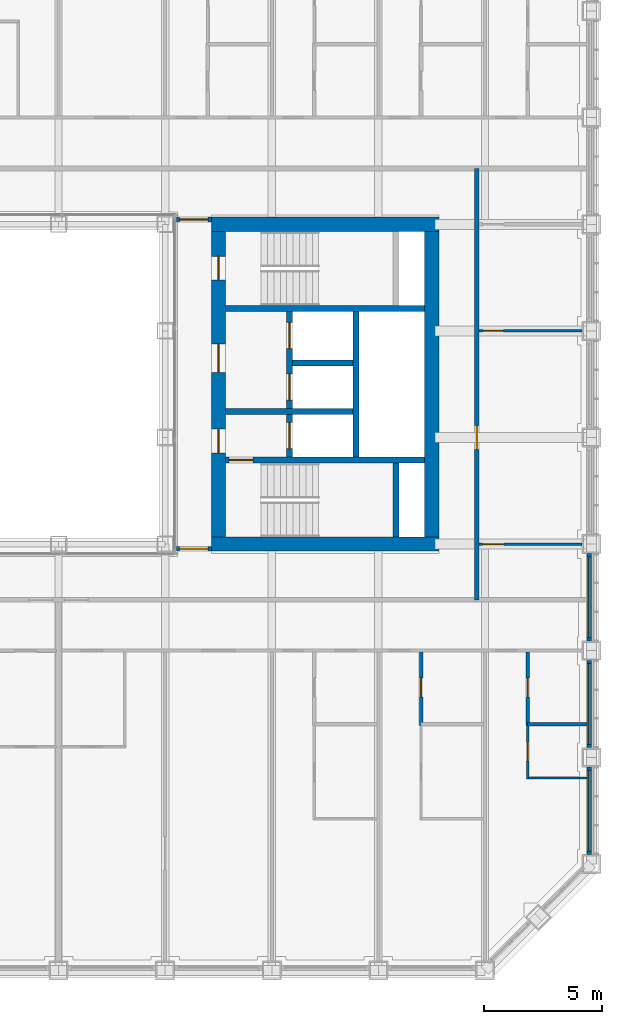
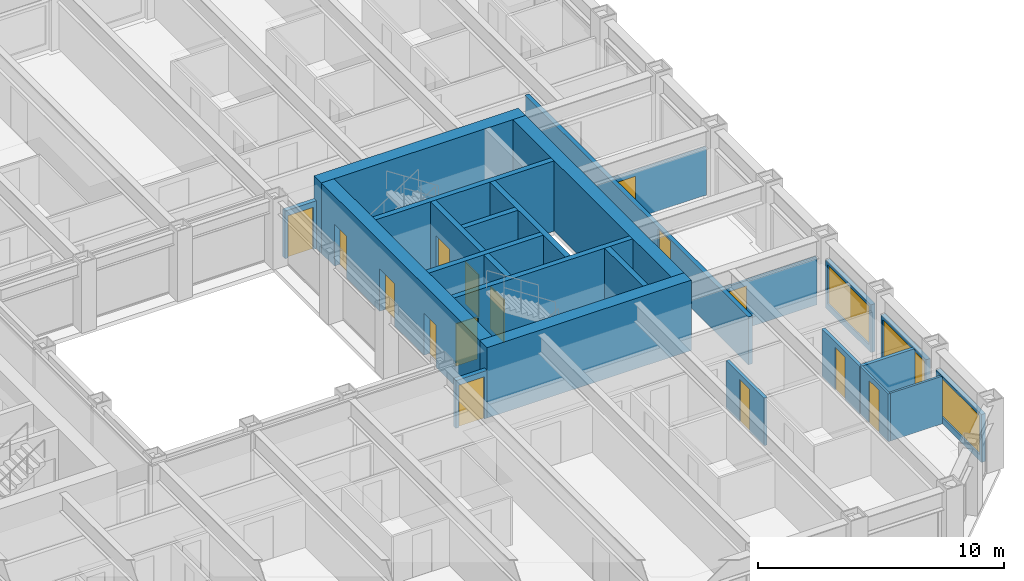
# One storey, part 12 of 21: 24 walls, 15 doors, 3 windows, 18 openings.
"""IFC4 building model written with IfcOpenShell, lengths in metres."""

from ifc_helpers import new_model, si_unit, direction, frame, frame_2d, origin, place, context, subcontext, project, spatial, rectangle, extrude, material, layer, layer_set, type_object, element, fill, save


model = new_model("IFC4")

# Units and contexts
model_context = context("Model", 3, precision=1e-05, world=origin(), true_north=direction((0.0, 1.0)))
body_context = subcontext(model_context, "Body", "Model", "MODEL_VIEW")
ifc_project = project(units=[si_unit("LENGTHUNIT", "METRE"), si_unit("AREAUNIT", "SQUARE_METRE"), si_unit("VOLUMEUNIT", "CUBIC_METRE"), si_unit("PLANEANGLEUNIT", "RADIAN"), si_unit("MASSUNIT", "GRAM", prefix="KILO")], contexts=[model_context])

# Site, building, storey
site_placement = place(None, origin())
site = spatial("IfcSite", under=ifc_project, at=site_placement, CompositionType="ELEMENT")
building_placement = place(site_placement, origin())
building = spatial("IfcBuilding", under=site, at=building_placement, Name="Msasa Ring Tower", CompositionType="ELEMENT")
storey_placement = place(building_placement, frame((0.0, 0.0, 82.5)))
storey = spatial("IfcBuildingStorey", under=building, at=storey_placement, Name="L21", CompositionType="ELEMENT", Elevation=82.5)

# Walls
ifc_material_1 = material(Name="Concrete C60/75", Category="concrete")
ifc_layer_1 = layer(ifc_material_1, 0.60009765625)
ifc_layer_set_1 = layer_set([ifc_layer_1], Name="CW1 CORE WALL 600")
wall_type_1 = type_object("IfcWallType", Name="CW1 CORE WALL 600", PredefinedType="SHEAR", material=ifc_layer_set_1)
for number, where, z_axis, x_axis, name in (
    (1, (8.699951171875, -6.75, 0.0), (0.0, 0.0, 1.0), (1.0, 0.0, 0.0), "E core wall S L21"),
    (2, (8.699951171875, 6.75, 0.0), (0.0, 0.0, 1.0), (1.0, 0.0, 0.0), "E core wall N L21"),
):
    element("IfcWall", number, at=place(storey_placement, frame(where, z_axis=z_axis, x_axis=x_axis)), inside=storey, type_object=wall_type_1, Name=name, PredefinedType="SHEAR", context=body_context, shape_type="SweptSolid", body=[
        extrude(rectangle(XDim=9.60009765625, YDim=0.60009765625, at=frame_2d((4.800048828125, 0.0))), origin(), (0.0, 0.0, 1.0), 3.5),
    ])

# Wall, openings, doors
wall_1_placement = place(storey_placement, frame((9.0, -6.449951171875, 0.0), z_axis=(0.0, 0.0, 1.0), x_axis=(0.0, 1.0, 0.0)))
wall_1 = element("IfcWall", 3, at=wall_1_placement, inside=storey, type_object=wall_type_1, Name="E core wall W L21", PredefinedType="SHEAR", context=body_context, shape_type="SweptSolid", body=[
    extrude(rectangle(XDim=12.89990234375, YDim=0.60009765625, at=frame_2d((6.449951171875, 0.0))), origin(), (0.0, 0.0, 1.0), 3.5),
])
opening_1_placement = place(wall_1_placement, frame((3.550048828125, 0.0, 0.0)))
opening_1 = element("IfcOpeningElement", 4, at=opening_1_placement, cuts=wall_1, Name="Opening RF-047", PredefinedType="OPENING", context=body_context, shape_type="SweptSolid", body=[
    extrude(rectangle(XDim=1.0, YDim=2.10009765625, at=frame_2d((0.5, 1.050048828125))), frame((0.0, 0.31005859375, 0.0), z_axis=(0.0, -1.0, 0.0), x_axis=(1.0, 0.0, 0.0)), (0.0, 0.0, 1.0), 0.6201171875),
])
opening_2_placement = place(wall_1_placement, frame((6.949951171875, 0.0, 0.0)))
opening_2 = element("IfcOpeningElement", 5, at=opening_2_placement, cuts=wall_1, Name="Opening RF-043", PredefinedType="OPENING", context=body_context, shape_type="SweptSolid", body=[
    extrude(rectangle(XDim=1.199951171875, YDim=2.10009765625, at=frame_2d((0.60009765625, 1.050048828125))), frame((0.0, 0.31005859375, 0.0), z_axis=(0.0, -1.0, 0.0), x_axis=(1.0, 0.0, 0.0)), (0.0, 0.0, 1.0), 0.6201171875),
])
opening_3_placement = place(wall_1_placement, frame((10.85009765625, 0.0, 0.0)))
opening_3 = element("IfcOpeningElement", 6, at=opening_3_placement, cuts=wall_1, Name="Opening RF-039", PredefinedType="OPENING", context=body_context, shape_type="SweptSolid", body=[
    extrude(rectangle(XDim=1.0, YDim=2.10009765625, at=frame_2d((0.5, 1.050048828125))), frame((0.0, 0.31005859375, 0.0), z_axis=(0.0, -1.0, 0.0), x_axis=(1.0, 0.0, 0.0)), (0.0, 0.0, 1.0), 0.6201171875),
])
ifc_material_2 = material(Name="Timber door leaf in a steel frame", Category="steel")
door_type_1 = type_object("IfcDoorType", Name="D4 LOBBY DOOR 1000x2100", OperationType="SINGLE_SWING_LEFT", PredefinedType="DOOR", material=ifc_material_2)
door_1_placement = place(opening_1_placement, origin())
door_1 = element("IfcDoor", 7, at=door_1_placement, inside=storey, type_object=door_type_1, Name="Door L21-EFFL", OperationType="SINGLE_SWING_LEFT", OverallHeight=2.10009765625, OverallWidth=1.0, PredefinedType="DOOR", context=body_context, shape_type="SweptSolid", body=[
    extrude(rectangle(XDim=1.0, YDim=2.10009765625, at=frame_2d((0.5, 1.050048828125))), frame((0.0, 0.02490234375, 0.0), z_axis=(0.0, -1.0, 0.0), x_axis=(1.0, 0.0, 0.0)), (0.0, 0.0, 1.0), 0.050048828125),
])
fill(opening_1, door_1)
ifc_material_3 = material(Name="Timber door leaf in a steel frame", Category="steel")
door_type_2 = type_object("IfcDoorType", Name="D5 WIDE LOBBY DOOR 1200x2100", OperationType="SINGLE_SWING_LEFT", PredefinedType="DOOR", material=ifc_material_3)
door_2_placement = place(opening_2_placement, origin())
door_2 = element("IfcDoor", 8, at=door_2_placement, inside=storey, type_object=door_type_2, Name="Door L21-ELL", OperationType="SINGLE_SWING_RIGHT", OverallHeight=2.10009765625, OverallWidth=1.199951171875, PredefinedType="DOOR", context=body_context, shape_type="SweptSolid", body=[
    extrude(rectangle(XDim=1.199951171875, YDim=2.10009765625, at=frame_2d((0.60009765625, 1.050048828125))), frame((0.0, 0.02490234375, 0.0), z_axis=(0.0, -1.0, 0.0), x_axis=(1.0, 0.0, 0.0)), (0.0, 0.0, 1.0), 0.050048828125),
])
fill(opening_2, door_2)
ifc_material_4 = material(Name="Timber door leaf in a steel frame", Category="steel")
door_type_3 = type_object("IfcDoorType", Name="D6 STAIR DOOR 1000x2100", OperationType="SINGLE_SWING_LEFT", PredefinedType="DOOR", material=ifc_material_4)
door_3_placement = place(opening_3_placement, origin())
door_3 = element("IfcDoor", 9, at=door_3_placement, inside=storey, type_object=door_type_3, Name="Door L21-ESTB", OperationType="SINGLE_SWING_RIGHT", OverallHeight=2.10009765625, OverallWidth=1.0, PredefinedType="DOOR", context=body_context, shape_type="SweptSolid", body=[
    extrude(rectangle(XDim=1.0, YDim=2.10009765625, at=frame_2d((0.5, 1.050048828125))), frame((0.0, 0.02490234375, 0.0), z_axis=(0.0, -1.0, 0.0), x_axis=(1.0, 0.0, 0.0)), (0.0, 0.0, 1.0), 0.050048828125),
])
fill(opening_3, door_3)

# Wall
wall_2_placement = place(storey_placement, frame((18.0, -6.449951171875, 0.0), z_axis=(0.0, 0.0, 1.0), x_axis=(0.0, 1.0, 0.0)))
element("IfcWall", 10, at=wall_2_placement, inside=storey, type_object=wall_type_1, Name="E core wall E L21", PredefinedType="SHEAR", context=body_context, shape_type="SweptSolid", body=[
    extrude(rectangle(XDim=12.89990234375, YDim=0.60009765625, at=frame_2d((6.449951171875, 0.0))), origin(), (0.0, 0.0, 1.0), 3.5),
])

# Wall, opening, door
ifc_material_5 = material(Name="Concrete C60/75", Category="concrete")
ifc_layer_2 = layer(ifc_material_5, 0.25)
ifc_layer_set_2 = layer_set([ifc_layer_2], Name="CW4 CORE INNER WALL 250")
wall_type_2 = type_object("IfcWallType", Name="CW4 CORE INNER WALL 250", PredefinedType="SHEAR", material=ifc_layer_set_2)
wall_3_placement = place(storey_placement, frame((9.300048828125, -3.199951171875, 0.0), z_axis=(0.0, 0.0, 1.0), x_axis=(1.0, 0.0, 0.0)))
wall_3 = element("IfcWall", 11, at=wall_3_placement, inside=storey, type_object=wall_type_2, Name="E core wall STAIRA L21", PredefinedType="SHEAR", context=body_context, shape_type="SweptSolid", body=[
    extrude(rectangle(XDim=8.39990234375, YDim=0.25, at=frame_2d((4.199951171875, 0.0))), origin(), (0.0, 0.0, 1.0), 3.5),
])
opening_4_placement = place(wall_3_placement, frame((0.14990234375, 0.0, 0.0)))
opening_4 = element("IfcOpeningElement", 12, at=opening_4_placement, cuts=wall_3, Name="Opening RF-049", PredefinedType="OPENING", context=body_context, shape_type="SweptSolid", body=[
    extrude(rectangle(XDim=1.0, YDim=2.10009765625, at=frame_2d((0.5, 1.050048828125))), frame((0.0, 0.135009765625, 0.0), z_axis=(0.0, -1.0, 0.0), x_axis=(1.0, 0.0, 0.0)), (0.0, 0.0, 1.0), 0.27001953125),
])
door_4_placement = place(opening_4_placement, origin())
door_4 = element("IfcDoor", 13, at=door_4_placement, inside=storey, type_object=door_type_3, Name="Door L21-ESTA", OperationType="SINGLE_SWING_LEFT", OverallHeight=2.10009765625, OverallWidth=1.0, PredefinedType="DOOR", context=body_context, shape_type="SweptSolid", body=[
    extrude(rectangle(XDim=1.0, YDim=2.10009765625, at=frame_2d((0.5, 1.050048828125))), frame((0.0, 0.02490234375, 0.0), z_axis=(0.0, -1.0, 0.0), x_axis=(1.0, 0.0, 0.0)), (0.0, 0.0, 1.0), 0.050048828125),
])
fill(opening_4, door_4)

# Walls
wall_4_placement = place(storey_placement, frame((9.300048828125, 3.199951171875, 0.0), z_axis=(0.0, 0.0, 1.0), x_axis=(1.0, 0.0, 0.0)))
element("IfcWall", 14, at=wall_4_placement, inside=storey, type_object=wall_type_2, Name="E core wall STAIRB L21", PredefinedType="SHEAR", context=body_context, shape_type="SweptSolid", body=[
    extrude(rectangle(XDim=8.39990234375, YDim=0.25, at=frame_2d((4.199951171875, 0.0))), origin(), (0.0, 0.0, 1.0), 3.5),
])
wall_5_placement = place(storey_placement, frame((16.5, -6.449951171875, 0.0), z_axis=(0.0, 0.0, 1.0), x_axis=(0.0, 1.0, 0.0)))
element("IfcWall", 15, at=wall_5_placement, inside=storey, type_object=wall_type_2, Name="E core wall RISERA L21", PredefinedType="SHEAR", context=body_context, shape_type="SweptSolid", body=[
    extrude(rectangle(XDim=3.125, YDim=0.25, at=frame_2d((1.5625, 0.0))), origin(), (0.0, 0.0, 1.0), 3.5),
])
wall_6_placement = place(storey_placement, frame((9.300048828125, -1.14990234375, 0.0), z_axis=(0.0, 0.0, 1.0), x_axis=(1.0, 0.0, 0.0)))
element("IfcWall", 16, at=wall_6_placement, inside=storey, type_object=wall_type_2, Name="E core wall FFL L21", PredefinedType="SHEAR", context=body_context, shape_type="SweptSolid", body=[
    extrude(rectangle(XDim=5.375, YDim=0.25, at=frame_2d((2.6875, 0.0))), origin(), (0.0, 0.0, 1.0), 3.5),
])

# Wall, openings, doors
wall_7_placement = place(storey_placement, frame((12.0, -3.074951171875, 0.0), z_axis=(0.0, 0.0, 1.0), x_axis=(0.0, 1.0, 0.0)))
wall_7 = element("IfcWall", 17, at=wall_7_placement, inside=storey, type_object=wall_type_2, Name="E core wall LOBBY L21", PredefinedType="SHEAR", context=body_context, shape_type="SweptSolid", body=[
    extrude(rectangle(XDim=6.14990234375, YDim=0.25, at=frame_2d((3.074951171875, 0.0))), origin(), (0.0, 0.0, 1.0), 3.5),
])
opening_5_placement = place(wall_7_placement, frame((0.35009765625, 0.0, 0.0)))
opening_5 = element("IfcOpeningElement", 18, at=opening_5_placement, cuts=wall_7, Name="Opening LD1", PredefinedType="OPENING", context=body_context, shape_type="SweptSolid", body=[
    extrude(rectangle(XDim=1.10009765625, YDim=2.10009765625, at=frame_2d((0.550048828125, 1.050048828125))), frame((0.0, 0.135009765625, 0.0), z_axis=(0.0, -1.0, 0.0), x_axis=(1.0, 0.0, 0.0)), (0.0, 0.0, 1.0), 0.27001953125),
])
opening_6_placement = place(wall_7_placement, frame((2.39990234375, 0.0, 0.0)))
opening_6 = element("IfcOpeningElement", 19, at=opening_6_placement, cuts=wall_7, Name="Opening LD1", PredefinedType="OPENING", context=body_context, shape_type="SweptSolid", body=[
    extrude(rectangle(XDim=1.10009765625, YDim=2.10009765625, at=frame_2d((0.550048828125, 1.050048828125))), frame((0.0, 0.135009765625, 0.0), z_axis=(0.0, -1.0, 0.0), x_axis=(1.0, 0.0, 0.0)), (0.0, 0.0, 1.0), 0.27001953125),
])
opening_7_placement = place(wall_7_placement, frame((4.574951171875, 0.0, 0.0)))
opening_7 = element("IfcOpeningElement", 20, at=opening_7_placement, cuts=wall_7, Name="Opening LD1", PredefinedType="OPENING", context=body_context, shape_type="SweptSolid", body=[
    extrude(rectangle(XDim=1.10009765625, YDim=2.10009765625, at=frame_2d((0.550048828125, 1.050048828125))), frame((0.0, 0.135009765625, 0.0), z_axis=(0.0, -1.0, 0.0), x_axis=(1.0, 0.0, 0.0)), (0.0, 0.0, 1.0), 0.27001953125),
])
ifc_material_6 = material(Name="Stainless steel lift landing door", Category="steel")
door_type_4 = type_object("IfcDoorType", Name="LD1 LIFT LANDING DOOR 1100x2100", OperationType="DOUBLE_DOOR_SLIDING", PredefinedType="DOOR", material=ifc_material_6)
door_5_placement = place(opening_5_placement, origin())
door_5 = element("IfcDoor", 21, at=door_5_placement, inside=storey, type_object=door_type_4, Name="Lift landing door FL-E L21", OperationType="DOUBLE_DOOR_SLIDING", OverallHeight=2.10009765625, OverallWidth=1.10009765625, PredefinedType="DOOR", context=body_context, shape_type="SweptSolid", body=[
    extrude(rectangle(XDim=1.10009765625, YDim=2.10009765625, at=frame_2d((0.550048828125, 1.050048828125))), frame((0.0, 0.02490234375, 0.0), z_axis=(0.0, -1.0, 0.0), x_axis=(1.0, 0.0, 0.0)), (0.0, 0.0, 1.0), 0.050048828125),
])
fill(opening_5, door_5)
door_6_placement = place(opening_6_placement, origin())
door_6 = element("IfcDoor", 22, at=door_6_placement, inside=storey, type_object=door_type_4, Name="Lift landing door PL-R1 L21", OperationType="DOUBLE_DOOR_SLIDING", OverallHeight=2.10009765625, OverallWidth=1.10009765625, PredefinedType="DOOR", context=body_context, shape_type="SweptSolid", body=[
    extrude(rectangle(XDim=1.10009765625, YDim=2.10009765625, at=frame_2d((0.550048828125, 1.050048828125))), frame((0.0, 0.02490234375, 0.0), z_axis=(0.0, -1.0, 0.0), x_axis=(1.0, 0.0, 0.0)), (0.0, 0.0, 1.0), 0.050048828125),
])
fill(opening_6, door_6)
door_7_placement = place(opening_7_placement, origin())
door_7 = element("IfcDoor", 23, at=door_7_placement, inside=storey, type_object=door_type_4, Name="Lift landing door PL-R2 L21", OperationType="DOUBLE_DOOR_SLIDING", OverallHeight=2.10009765625, OverallWidth=1.10009765625, PredefinedType="DOOR", context=body_context, shape_type="SweptSolid", body=[
    extrude(rectangle(XDim=1.10009765625, YDim=2.10009765625, at=frame_2d((0.550048828125, 1.050048828125))), frame((0.0, 0.02490234375, 0.0), z_axis=(0.0, -1.0, 0.0), x_axis=(1.0, 0.0, 0.0)), (0.0, 0.0, 1.0), 0.050048828125),
])
fill(opening_7, door_7)

# Walls
wall_8_placement = place(storey_placement, frame((14.800048828125, -3.074951171875, 0.0), z_axis=(0.0, 0.0, 1.0), x_axis=(0.0, 1.0, 0.0)))
element("IfcWall", 24, at=wall_8_placement, inside=storey, type_object=wall_type_2, Name="E core wall SHAFT L21", PredefinedType="SHEAR", context=body_context, shape_type="SweptSolid", body=[
    extrude(rectangle(XDim=6.14990234375, YDim=0.25, at=frame_2d((3.074951171875, 0.0))), origin(), (0.0, 0.0, 1.0), 3.5),
])
wall_9_placement = place(storey_placement, frame((12.125, 0.89990234375, 0.0), z_axis=(0.0, 0.0, 1.0), x_axis=(1.0, 0.0, 0.0)))
element("IfcWall", 25, at=wall_9_placement, inside=storey, type_object=wall_type_2, Name="E core wall LIFT1 L21", PredefinedType="SHEAR", context=body_context, shape_type="SweptSolid", body=[
    extrude(rectangle(XDim=2.550048828125, YDim=0.25, at=frame_2d((1.27490234375, 0.0))), origin(), (0.0, 0.0, 1.0), 3.5),
])

# Wall, opening, window
ifc_material_7 = material(Name="Terracotta rainscreen on blockwork", Category="masonry")
ifc_layer_3 = layer(ifc_material_7, 0.199951171875)
ifc_layer_set_3 = layer_set([ifc_layer_3], Name="FW1 TERRACOTTA-LINED INFILL BAY WALL 200")
wall_type_3 = type_object("IfcWallType", Name="FW1 TERRACOTTA-LINED INFILL BAY WALL 200", PredefinedType="SOLIDWALL", material=ifc_layer_set_3)
wall_10_placement = place(storey_placement, frame((24.64990234375, -19.844970703125, 0.0), z_axis=(0.0, 0.0, 1.0), x_axis=(0.0, 1.0, 0.0)))
wall_10 = element("IfcWall", 26, at=wall_10_placement, inside=storey, type_object=wall_type_3, Name="Infill bay wall E L21 11", PredefinedType="SOLIDWALL", context=body_context, shape_type="SweptSolid", body=[
    extrude(rectangle(XDim=3.68994140625, YDim=0.199951171875, at=frame_2d((1.844970703125, 0.0))), origin(), (0.0, 0.0, 1.0), 2.37890625),
])
opening_8_placement = place(wall_10_placement, frame((0.14501953125, 0.0, 0.300048828125)))
opening_8 = element("IfcOpeningElement", 27, at=opening_8_placement, cuts=wall_10, Name="Opening WN1", PredefinedType="OPENING", context=body_context, shape_type="SweptSolid", body=[
    extrude(rectangle(XDim=3.39990234375, YDim=1.928955078125, at=frame_2d((1.699951171875, 0.96435546875))), frame((0.0, 0.10986328125, 0.0), z_axis=(0.0, -1.0, 0.0), x_axis=(1.0, 0.0, 0.0)), (0.0, 0.0, 1.0), 0.219970703125),
])
ifc_material_8 = material(Name="Aluminium frame with clear glass", Category="aluminium")
window_type = type_object("IfcWindowType", Name="WN1 RESIDENCE WINDOW 3400x1929", PartitioningType="SINGLE_PANEL", PredefinedType="WINDOW", material=ifc_material_8)
window_1_placement = place(opening_8_placement, origin())
window_1 = element("IfcWindow", 28, at=window_1_placement, inside=storey, type_object=window_type, Name="Window E L21 11", OverallHeight=1.928955078125, OverallWidth=3.39990234375, PartitioningType="SINGLE_PANEL", PredefinedType="WINDOW", context=body_context, shape_type="SweptSolid", body=[
    extrude(rectangle(XDim=3.39990234375, YDim=1.928955078125, at=frame_2d((1.699951171875, 0.96435546875))), frame((0.0, 0.030029296875, 0.0), z_axis=(0.0, -1.0, 0.0), x_axis=(1.0, 0.0, 0.0)), (0.0, 0.0, 1.0), 0.06005859375),
])
fill(opening_8, window_1)

wall_11_placement = place(storey_placement, frame((24.64990234375, -15.344970703125, 0.0), z_axis=(0.0, 0.0, 1.0), x_axis=(0.0, 1.0, 0.0)))
wall_11 = element("IfcWall", 29, at=wall_11_placement, inside=storey, type_object=wall_type_3, Name="Infill bay wall E L21 12", PredefinedType="SOLIDWALL", context=body_context, shape_type="SweptSolid", body=[
    extrude(rectangle(XDim=3.68994140625, YDim=0.199951171875, at=frame_2d((1.844970703125, 0.0))), origin(), (0.0, 0.0, 1.0), 2.37890625),
])
opening_9_placement = place(wall_11_placement, frame((0.14501953125, 0.0, 0.300048828125)))
opening_9 = element("IfcOpeningElement", 30, at=opening_9_placement, cuts=wall_11, Name="Opening WN1", PredefinedType="OPENING", context=body_context, shape_type="SweptSolid", body=[
    extrude(rectangle(XDim=3.39990234375, YDim=1.928955078125, at=frame_2d((1.699951171875, 0.96435546875))), frame((0.0, 0.10986328125, 0.0), z_axis=(0.0, -1.0, 0.0), x_axis=(1.0, 0.0, 0.0)), (0.0, 0.0, 1.0), 0.219970703125),
])
window_2_placement = place(opening_9_placement, origin())
window_2 = element("IfcWindow", 31, at=window_2_placement, inside=storey, type_object=window_type, Name="Window E L21 12", OverallHeight=1.928955078125, OverallWidth=3.39990234375, PartitioningType="SINGLE_PANEL", PredefinedType="WINDOW", context=body_context, shape_type="SweptSolid", body=[
    extrude(rectangle(XDim=3.39990234375, YDim=1.928955078125, at=frame_2d((1.699951171875, 0.96435546875))), frame((0.0, 0.030029296875, 0.0), z_axis=(0.0, -1.0, 0.0), x_axis=(1.0, 0.0, 0.0)), (0.0, 0.0, 1.0), 0.06005859375),
])
fill(opening_9, window_2)

wall_12_placement = place(storey_placement, frame((24.64990234375, -10.844970703125, 0.0), z_axis=(0.0, 0.0, 1.0), x_axis=(0.0, 1.0, 0.0)))
wall_12 = element("IfcWall", 32, at=wall_12_placement, inside=storey, type_object=wall_type_3, Name="Infill bay wall E L21 13", PredefinedType="SOLIDWALL", context=body_context, shape_type="SweptSolid", body=[
    extrude(rectangle(XDim=3.68994140625, YDim=0.199951171875, at=frame_2d((1.844970703125, 0.0))), origin(), (0.0, 0.0, 1.0), 2.37890625),
])
opening_10_placement = place(wall_12_placement, frame((0.14501953125, 0.0, 0.300048828125)))
opening_10 = element("IfcOpeningElement", 33, at=opening_10_placement, cuts=wall_12, Name="Opening WN1", PredefinedType="OPENING", context=body_context, shape_type="SweptSolid", body=[
    extrude(rectangle(XDim=3.39990234375, YDim=1.928955078125, at=frame_2d((1.699951171875, 0.96435546875))), frame((0.0, 0.10986328125, 0.0), z_axis=(0.0, -1.0, 0.0), x_axis=(1.0, 0.0, 0.0)), (0.0, 0.0, 1.0), 0.219970703125),
])
window_3_placement = place(opening_10_placement, origin())
window_3 = element("IfcWindow", 34, at=window_3_placement, inside=storey, type_object=window_type, Name="Window E L21 13", OverallHeight=1.928955078125, OverallWidth=3.39990234375, PartitioningType="SINGLE_PANEL", PredefinedType="WINDOW", context=body_context, shape_type="SweptSolid", body=[
    extrude(rectangle(XDim=3.39990234375, YDim=1.928955078125, at=frame_2d((1.699951171875, 0.96435546875))), frame((0.0, 0.030029296875, 0.0), z_axis=(0.0, -1.0, 0.0), x_axis=(1.0, 0.0, 0.0)), (0.0, 0.0, 1.0), 0.06005859375),
])
fill(opening_10, window_3)

# Wall, opening, door
ifc_material_9 = material(Name="Concrete blockwork", Category="masonry")
ifc_layer_4 = layer(ifc_material_9, 0.199951171875)
ifc_layer_set_4 = layer_set([ifc_layer_4], Name="PT1 CORRIDOR WALL 200")
wall_type_4 = type_object("IfcWallType", Name="PT1 CORRIDOR WALL 200", PredefinedType="PARTITIONING", material=ifc_layer_set_4)
wall_13_placement = place(storey_placement, frame((7.22998046875, 6.949951171875, 0.0), z_axis=(0.0, 0.0, 1.0), x_axis=(1.0, 0.0, 0.0)))
wall_13 = element("IfcWall", 35, at=wall_13_placement, inside=storey, type_object=wall_type_4, Name="Corridor wall L21-SDEN", PredefinedType="PARTITIONING", context=body_context, shape_type="SweptSolid", body=[
    extrude(rectangle(XDim=1.469970703125, YDim=0.199951171875, at=frame_2d((0.73486328125, 0.0))), origin(), (0.0, 0.0, 1.0), 2.373291015625),
])
opening_11_placement = place(wall_13_placement, frame((0.135009765625, 0.0, 0.0)))
opening_11 = element("IfcOpeningElement", 36, at=opening_11_placement, cuts=wall_13, Name="Opening RF-035", PredefinedType="OPENING", context=body_context, shape_type="SweptSolid", body=[
    extrude(rectangle(XDim=1.199951171875, YDim=2.10009765625, at=frame_2d((0.60009765625, 1.050048828125))), frame((0.0, 0.10986328125, 0.0), z_axis=(0.0, -1.0, 0.0), x_axis=(1.0, 0.0, 0.0)), (0.0, 0.0, 1.0), 0.219970703125),
])
ifc_material_10 = material(Name="Timber door leaf in a steel frame", Category="steel")
door_type_5 = type_object("IfcDoorType", Name="D25 CORRIDOR PAIR OF SMOKE DOORS 1200x2100", OperationType="DOUBLE_DOOR_DOUBLE_SWING", PredefinedType="DOOR", material=ifc_material_10)
door_8_placement = place(opening_11_placement, origin())
door_8 = element("IfcDoor", 37, at=door_8_placement, inside=storey, type_object=door_type_5, Name="Door L21-SDEN", OperationType="DOUBLE_DOOR_DOUBLE_SWING", OverallHeight=2.10009765625, OverallWidth=1.199951171875, PredefinedType="DOOR", context=body_context, shape_type="SweptSolid", body=[
    extrude(rectangle(XDim=1.199951171875, YDim=2.10009765625, at=frame_2d((0.60009765625, 1.050048828125))), frame((0.0, 0.02490234375, 0.0), z_axis=(0.0, -1.0, 0.0), x_axis=(1.0, 0.0, 0.0)), (0.0, 0.0, 1.0), 0.050048828125),
])
fill(opening_11, door_8)

wall_14_placement = place(storey_placement, frame((7.22998046875, -6.949951171875, 0.0), z_axis=(0.0, 0.0, 1.0), x_axis=(1.0, 0.0, 0.0)))
wall_14 = element("IfcWall", 38, at=wall_14_placement, inside=storey, type_object=wall_type_4, Name="Corridor wall L21-SDES", PredefinedType="PARTITIONING", context=body_context, shape_type="SweptSolid", body=[
    extrude(rectangle(XDim=1.469970703125, YDim=0.199951171875, at=frame_2d((0.73486328125, 0.0))), origin(), (0.0, 0.0, 1.0), 2.373291015625),
])
opening_12_placement = place(wall_14_placement, frame((0.135009765625, 0.0, 0.0)))
opening_12 = element("IfcOpeningElement", 39, at=opening_12_placement, cuts=wall_14, Name="Opening RF-053", PredefinedType="OPENING", context=body_context, shape_type="SweptSolid", body=[
    extrude(rectangle(XDim=1.199951171875, YDim=2.10009765625, at=frame_2d((0.60009765625, 1.050048828125))), frame((0.0, 0.10986328125, 0.0), z_axis=(0.0, -1.0, 0.0), x_axis=(1.0, 0.0, 0.0)), (0.0, 0.0, 1.0), 0.219970703125),
])
door_9_placement = place(opening_12_placement, origin())
door_9 = element("IfcDoor", 40, at=door_9_placement, inside=storey, type_object=door_type_5, Name="Door L21-SDES", OperationType="DOUBLE_DOOR_DOUBLE_SWING", OverallHeight=2.10009765625, OverallWidth=1.199951171875, PredefinedType="DOOR", context=body_context, shape_type="SweptSolid", body=[
    extrude(rectangle(XDim=1.199951171875, YDim=2.10009765625, at=frame_2d((0.60009765625, 1.050048828125))), frame((0.0, 0.02490234375, 0.0), z_axis=(0.0, -1.0, 0.0), x_axis=(1.0, 0.0, 0.0)), (0.0, 0.0, 1.0), 0.050048828125),
])
fill(opening_12, door_9)

wall_15_placement = place(storey_placement, frame((19.89990234375, -9.10009765625, 0.0), z_axis=(0.0, 0.0, 1.0), x_axis=(0.0, 1.0, 0.0)))
wall_15 = element("IfcWall", 41, at=wall_15_placement, inside=storey, type_object=wall_type_4, Name="Corridor wall L21-STRE", PredefinedType="PARTITIONING", context=body_context, shape_type="SweptSolid", body=[
    extrude(rectangle(XDim=18.2001953125, YDim=0.199951171875, at=frame_2d((9.10009765625, 0.0))), origin(), (0.0, 0.0, 1.0), 2.373291015625),
])
opening_13_placement = place(wall_15_placement, frame((6.35009765625, 0.0, 0.0)))
opening_13 = element("IfcOpeningElement", 42, at=opening_13_placement, cuts=wall_15, Name="Opening RF-045", PredefinedType="OPENING", context=body_context, shape_type="SweptSolid", body=[
    extrude(rectangle(XDim=1.0, YDim=2.300048828125, at=frame_2d((0.5, 1.14990234375))), frame((0.0, 0.10986328125, 0.0), z_axis=(0.0, -1.0, 0.0), x_axis=(1.0, 0.0, 0.0)), (0.0, 0.0, 1.0), 0.219970703125),
])
ifc_material_11 = material(Name="Timber door leaf in a steel frame", Category="steel")
door_type_6 = type_object("IfcDoorType", Name="D16 UPPER RESIDENCE ENTRANCE DOOR 1000x2300", OperationType="SINGLE_SWING_LEFT", PredefinedType="DOOR", material=ifc_material_11)
door_10_placement = place(opening_13_placement, origin())
door_10 = element("IfcDoor", 43, at=door_10_placement, inside=storey, type_object=door_type_6, Name="Door L21-STE", OperationType="SINGLE_SWING_LEFT", OverallHeight=2.300048828125, OverallWidth=1.0, PredefinedType="DOOR", context=body_context, shape_type="SweptSolid", body=[
    extrude(rectangle(XDim=1.0, YDim=2.300048828125, at=frame_2d((0.5, 1.14990234375))), frame((0.0, 0.02490234375, 0.0), z_axis=(0.0, -1.0, 0.0), x_axis=(1.0, 0.0, 0.0)), (0.0, 0.0, 1.0), 0.050048828125),
])
fill(opening_13, door_10)

ifc_material_12 = material(Name="Gypsum board on steel studs", Category="steel")
ifc_layer_5 = layer(ifc_material_12, 0.10009765625)
ifc_layer_set_5 = layer_set([ifc_layer_5], Name="PT2 STUD PARTITION 100")
wall_type_5 = type_object("IfcWallType", Name="PT2 STUD PARTITION 100", PredefinedType="PARTITIONING", material=ifc_layer_set_5)
wall_16_placement = place(storey_placement, frame((22.050048828125, -16.673583984375, 0.0), z_axis=(0.0, 0.0, 1.0), x_axis=(0.0, 1.0, 0.0)))
wall_16 = element("IfcWall", 44, at=wall_16_placement, inside=storey, type_object=wall_type_5, Name="Partition L21-VSEWX3", PredefinedType="PARTITIONING", context=body_context, shape_type="SweptSolid", body=[
    extrude(rectangle(XDim=2.273681640625, YDim=0.10009765625, at=frame_2d((1.13671875, 0.0))), origin(), (0.0, 0.0, 1.0), 2.373291015625),
])
opening_14_placement = place(wall_16_placement, frame((0.76171875, 0.0, 0.0)))
opening_14 = element("IfcOpeningElement", 45, at=opening_14_placement, cuts=wall_16, Name="Opening RF-079", PredefinedType="OPENING", context=body_context, shape_type="SweptSolid", body=[
    extrude(rectangle(XDim=0.800048828125, YDim=2.10009765625, at=frame_2d((0.39990234375, 1.050048828125))), frame((0.0, 0.06005859375, 0.0), z_axis=(0.0, -1.0, 0.0), x_axis=(1.0, 0.0, 0.0)), (0.0, 0.0, 1.0), 0.1201171875),
])
ifc_material_13 = material(Name="Timber door leaf in a steel frame", Category="steel")
door_type_7 = type_object("IfcDoorType", Name="D60 DRESSING ROOM DOOR 800x2100", OperationType="SINGLE_SWING_LEFT", PredefinedType="DOOR", material=ifc_material_13)
door_11_placement = place(opening_14_placement, origin())
door_11 = element("IfcDoor", 46, at=door_11_placement, inside=storey, type_object=door_type_7, Name="Door L21-VSEW3", OperationType="SINGLE_SWING_LEFT", OverallHeight=2.10009765625, OverallWidth=0.800048828125, PredefinedType="DOOR", context=body_context, shape_type="SweptSolid", body=[
    extrude(rectangle(XDim=0.800048828125, YDim=2.10009765625, at=frame_2d((0.39990234375, 1.050048828125))), frame((0.0, 0.02490234375, 0.0), z_axis=(0.0, -1.0, 0.0), x_axis=(1.0, 0.0, 0.0)), (0.0, 0.0, 1.0), 0.050048828125),
])
fill(opening_14, door_11)

# Wall
wall_17_placement = place(storey_placement, frame((22.050048828125, -16.62353515625, 0.0), z_axis=(0.0, 0.0, 1.0), x_axis=(1.0, 0.0, 0.0)))
element("IfcWall", 47, at=wall_17_placement, inside=storey, type_object=wall_type_5, Name="Partition L21-VSEWY3", PredefinedType="PARTITIONING", context=body_context, shape_type="SweptSolid", body=[
    extrude(rectangle(XDim=2.5, YDim=0.10009765625, at=frame_2d((1.25, 0.0))), origin(), (0.0, 0.0, 1.0), 2.373291015625),
])

# Wall, opening, door
wall_18_placement = place(storey_placement, frame((20.0, -6.75, 0.0), z_axis=(0.0, 0.0, 1.0), x_axis=(1.0, 0.0, 0.0)))
wall_18 = element("IfcWall", 48, at=wall_18_placement, inside=storey, type_object=wall_type_5, Name="Partition L21-STEKY", PredefinedType="PARTITIONING", context=body_context, shape_type="SweptSolid", body=[
    extrude(rectangle(XDim=4.35009765625, YDim=0.10009765625, at=frame_2d((2.175048828125, 0.0))), origin(), (0.0, 0.0, 1.0), 2.373291015625),
])
opening_15_placement = place(wall_18_placement, frame((0.14990234375, 0.0, 0.0)))
opening_15 = element("IfcOpeningElement", 49, at=opening_15_placement, cuts=wall_18, Name="Opening RF-051", PredefinedType="OPENING", context=body_context, shape_type="SweptSolid", body=[
    extrude(rectangle(XDim=0.89990234375, YDim=2.10009765625, at=frame_2d((0.449951171875, 1.050048828125))), frame((0.0, 0.06005859375, 0.0), z_axis=(0.0, -1.0, 0.0), x_axis=(1.0, 0.0, 0.0)), (0.0, 0.0, 1.0), 0.1201171875),
])
ifc_material_14 = material(Name="Timber door leaf in a steel frame", Category="steel")
door_type_8 = type_object("IfcDoorType", Name="D22 INTERNAL HALL DOOR 900x2100", OperationType="SINGLE_SWING_LEFT", PredefinedType="DOOR", material=ifc_material_14)
door_12_placement = place(opening_15_placement, origin())
door_12 = element("IfcDoor", 50, at=door_12_placement, inside=storey, type_object=door_type_8, Name="Door L21-STEK", OperationType="SINGLE_SWING_LEFT", OverallHeight=2.10009765625, OverallWidth=0.89990234375, PredefinedType="DOOR", context=body_context, shape_type="SweptSolid", body=[
    extrude(rectangle(XDim=0.89990234375, YDim=2.10009765625, at=frame_2d((0.449951171875, 1.050048828125))), frame((0.0, 0.02490234375, 0.0), z_axis=(0.0, -1.0, 0.0), x_axis=(1.0, 0.0, 0.0)), (0.0, 0.0, 1.0), 0.050048828125),
])
fill(opening_15, door_12)

wall_19_placement = place(storey_placement, frame((20.0, 2.25, 0.0), z_axis=(0.0, 0.0, 1.0), x_axis=(1.0, 0.0, 0.0)))
wall_19 = element("IfcWall", 51, at=wall_19_placement, inside=storey, type_object=wall_type_5, Name="Partition L21-STERY", PredefinedType="PARTITIONING", context=body_context, shape_type="SweptSolid", body=[
    extrude(rectangle(XDim=4.35009765625, YDim=0.10009765625, at=frame_2d((2.175048828125, 0.0))), origin(), (0.0, 0.0, 1.0), 2.373291015625),
])
opening_16_placement = place(wall_19_placement, frame((0.175048828125, 0.0, 0.0)))
opening_16 = element("IfcOpeningElement", 52, at=opening_16_placement, cuts=wall_19, Name="Opening RF-041", PredefinedType="OPENING", context=body_context, shape_type="SweptSolid", body=[
    extrude(rectangle(XDim=0.85009765625, YDim=2.10009765625, at=frame_2d((0.425048828125, 1.050048828125))), frame((0.0, 0.06005859375, 0.0), z_axis=(0.0, -1.0, 0.0), x_axis=(1.0, 0.0, 0.0)), (0.0, 0.0, 1.0), 0.1201171875),
])
ifc_material_15 = material(Name="Timber door leaf in a steel frame", Category="steel")
door_type_9 = type_object("IfcDoorType", Name="D14 BEDROOM DOOR 850x2100", OperationType="SINGLE_SWING_LEFT", PredefinedType="DOOR", material=ifc_material_15)
door_13_placement = place(opening_16_placement, origin())
door_13 = element("IfcDoor", 53, at=door_13_placement, inside=storey, type_object=door_type_9, Name="Door L21-STER", OperationType="SINGLE_SWING_LEFT", OverallHeight=2.10009765625, OverallWidth=0.85009765625, PredefinedType="DOOR", context=body_context, shape_type="SweptSolid", body=[
    extrude(rectangle(XDim=0.85009765625, YDim=2.10009765625, at=frame_2d((0.425048828125, 1.050048828125))), frame((0.0, 0.02490234375, 0.0), z_axis=(0.0, -1.0, 0.0), x_axis=(1.0, 0.0, 0.0)), (0.0, 0.0, 1.0), 0.050048828125),
])
fill(opening_16, door_13)

ifc_material_16 = material(Name="Moisture-resistant board on steel studs with a concealed cistern and pipe void, tiled", Category="steel")
ifc_layer_6 = layer(ifc_material_16, 0.14990234375)
ifc_layer_set_6 = layer_set([ifc_layer_6], Name="PT4 BATHROOM WET WALL 150")
wall_type_6 = type_object("IfcWallType", Name="PT4 BATHROOM WET WALL 150", PredefinedType="PARTITIONING", material=ifc_layer_set_6)
wall_20_placement = place(storey_placement, frame((17.550048828125, -14.39990234375, 0.0), z_axis=(0.0, 0.0, 1.0), x_axis=(0.0, 1.0, 0.0)))
wall_20 = element("IfcWall", 54, at=wall_20_placement, inside=storey, type_object=wall_type_6, Name="Partition L21-VSEBX2", PredefinedType="PARTITIONING", context=body_context, shape_type="SweptSolid", body=[
    extrude(rectangle(XDim=3.08740234375, YDim=0.14990234375, at=frame_2d((1.543701171875, 0.0))), origin(), (0.0, 0.0, 1.0), 2.373291015625),
])
opening_17_placement = place(wall_20_placement, frame((1.199951171875, 0.0, 0.0)))
opening_17 = element("IfcOpeningElement", 55, at=opening_17_placement, cuts=wall_20, Name="Opening RF-074", PredefinedType="OPENING", context=body_context, shape_type="SweptSolid", body=[
    extrude(rectangle(XDim=0.800048828125, YDim=2.10009765625, at=frame_2d((0.39990234375, 1.050048828125))), frame((0.0, 0.0849609375, 0.0), z_axis=(0.0, -1.0, 0.0), x_axis=(1.0, 0.0, 0.0)), (0.0, 0.0, 1.0), 0.169921875),
])
ifc_material_17 = material(Name="Timber door leaf in a steel frame", Category="steel")
door_type_10 = type_object("IfcDoorType", Name="D21 POCKET SLIDING BATHROOM DOOR 800x2100", OperationType="SINGLE_SWING_LEFT", PredefinedType="DOOR", material=ifc_material_17)
door_14_placement = place(opening_17_placement, origin())
door_14 = element("IfcDoor", 56, at=door_14_placement, inside=storey, type_object=door_type_10, Name="Door L21-VSEB2", OperationType="SINGLE_SWING_RIGHT", OverallHeight=2.10009765625, OverallWidth=0.800048828125, PredefinedType="DOOR", context=body_context, shape_type="SweptSolid", body=[
    extrude(rectangle(XDim=0.800048828125, YDim=2.10009765625, at=frame_2d((0.39990234375, 1.050048828125))), frame((0.0, 0.02490234375, 0.0), z_axis=(0.0, -1.0, 0.0), x_axis=(1.0, 0.0, 0.0)), (0.0, 0.0, 1.0), 0.050048828125),
])
fill(opening_17, door_14)

wall_21_placement = place(storey_placement, frame((22.050048828125, -14.39990234375, 0.0), z_axis=(0.0, 0.0, 1.0), x_axis=(0.0, 1.0, 0.0)))
wall_21 = element("IfcWall", 57, at=wall_21_placement, inside=storey, type_object=wall_type_6, Name="Partition L21-VSEBX3", PredefinedType="PARTITIONING", context=body_context, shape_type="SweptSolid", body=[
    extrude(rectangle(XDim=3.08740234375, YDim=0.14990234375, at=frame_2d((1.543701171875, 0.0))), origin(), (0.0, 0.0, 1.0), 2.373291015625),
])
opening_18_placement = place(wall_21_placement, frame((1.199951171875, 0.0, 0.0)))
opening_18 = element("IfcOpeningElement", 58, at=opening_18_placement, cuts=wall_21, Name="Opening RF-075", PredefinedType="OPENING", context=body_context, shape_type="SweptSolid", body=[
    extrude(rectangle(XDim=0.800048828125, YDim=2.10009765625, at=frame_2d((0.39990234375, 1.050048828125))), frame((0.0, 0.0849609375, 0.0), z_axis=(0.0, -1.0, 0.0), x_axis=(1.0, 0.0, 0.0)), (0.0, 0.0, 1.0), 0.169921875),
])
door_15_placement = place(opening_18_placement, origin())
door_15 = element("IfcDoor", 59, at=door_15_placement, inside=storey, type_object=door_type_10, Name="Door L21-VSEB3", OperationType="SINGLE_SWING_RIGHT", OverallHeight=2.10009765625, OverallWidth=0.800048828125, PredefinedType="DOOR", context=body_context, shape_type="SweptSolid", body=[
    extrude(rectangle(XDim=0.800048828125, YDim=2.10009765625, at=frame_2d((0.39990234375, 1.050048828125))), frame((0.0, 0.02490234375, 0.0), z_axis=(0.0, -1.0, 0.0), x_axis=(1.0, 0.0, 0.0)), (0.0, 0.0, 1.0), 0.050048828125),
])
fill(opening_18, door_15)

# Wall
wall_22_placement = place(storey_placement, frame((22.050048828125, -14.35009765625, 0.0), z_axis=(0.0, 0.0, 1.0), x_axis=(1.0, 0.0, 0.0)))
element("IfcWall", 60, at=wall_22_placement, inside=storey, type_object=wall_type_6, Name="Partition L21-VSEBY3", PredefinedType="PARTITIONING", context=body_context, shape_type="SweptSolid", body=[
    extrude(rectangle(XDim=2.5, YDim=0.14990234375, at=frame_2d((1.25, 0.0))), origin(), (0.0, 0.0, 1.0), 2.373291015625),
])

save(model, "model.ifc")
